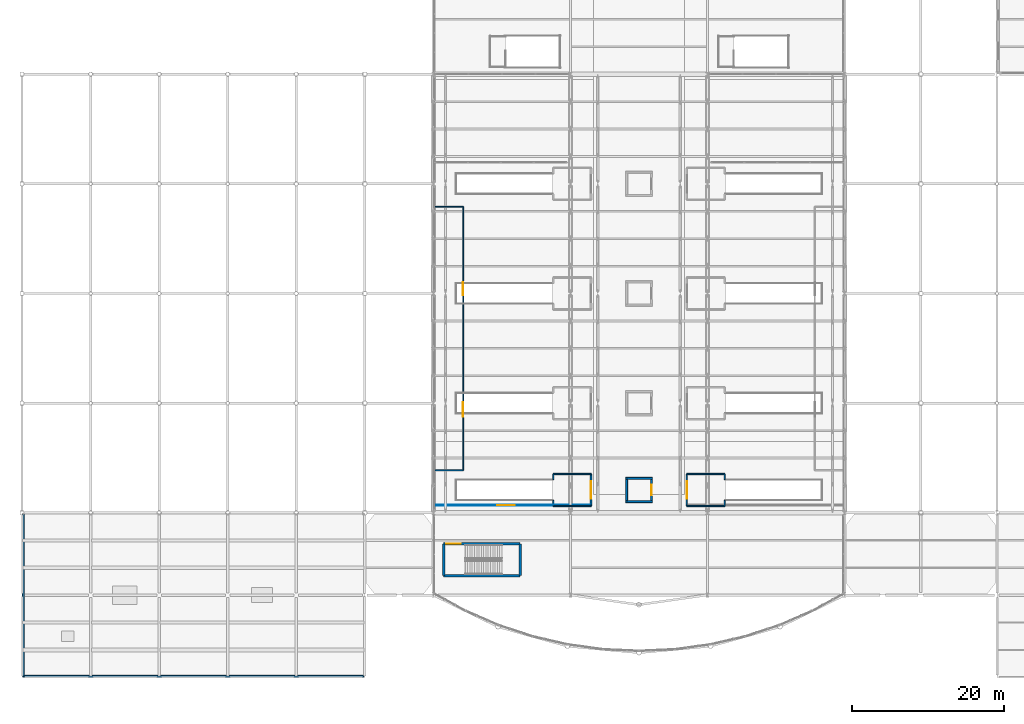
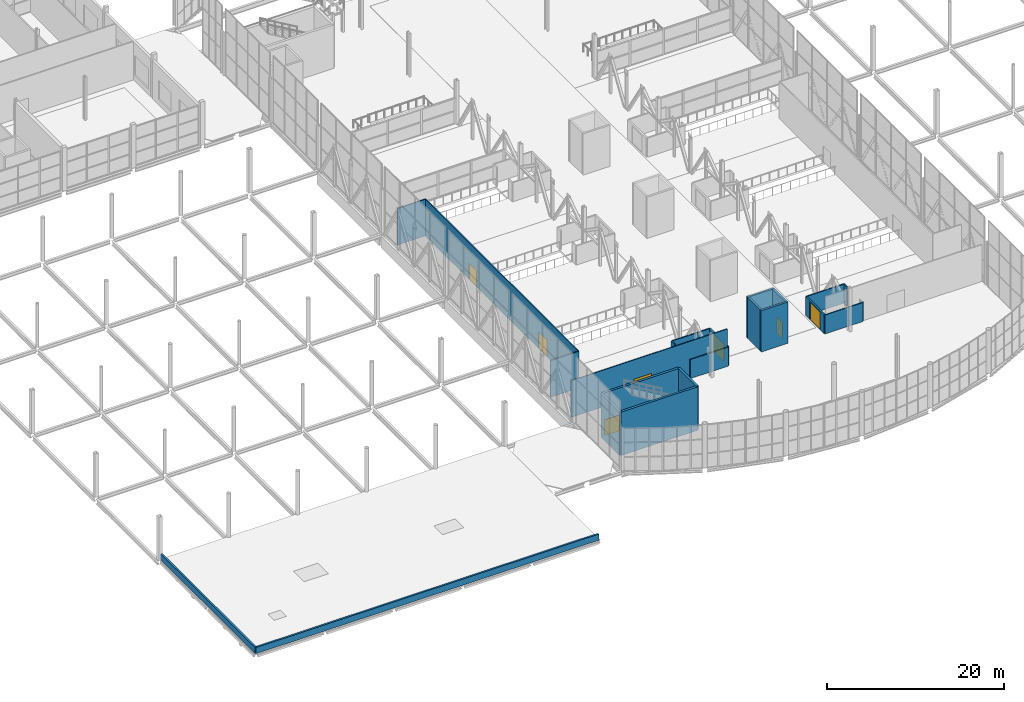
# One storey, part 167 of 191: 24 walls, 7 doors, 7 openings.
"""IFC4 building model written with IfcOpenShell, lengths in metres."""

from ifc_helpers import new_model, si_unit, direction, frame, frame_2d, origin, place, context, subcontext, project, spatial, rectangle, extrude, material, layer, layer_set, type_object, element, fill, save


model = new_model("IFC4")

# Units and contexts
model_context = context("Model", 3, precision=1e-05, world=origin(), true_north=direction((0.0, 1.0)))
body_context = subcontext(model_context, "Body", "Model", "MODEL_VIEW")
ifc_project = project(units=[si_unit("LENGTHUNIT", "METRE"), si_unit("AREAUNIT", "SQUARE_METRE"), si_unit("VOLUMEUNIT", "CUBIC_METRE"), si_unit("PLANEANGLEUNIT", "RADIAN"), si_unit("MASSUNIT", "GRAM", prefix="KILO")], contexts=[model_context])

# Site, building, storey
site_placement = place(None, origin())
site = spatial("IfcSite", under=ifc_project, at=site_placement, CompositionType="ELEMENT")
building_placement = place(site_placement, origin())
building = spatial("IfcBuilding", under=site, at=building_placement, Name="Tamarisk Ironworks Central Station", CompositionType="ELEMENT")
storey_placement = place(building_placement, frame((0.0, 0.0, 6.60009765625)))
storey = spatial("IfcBuildingStorey", under=building, at=storey_placement, Name="L01", CompositionType="ELEMENT", Elevation=6.60009765625)

# Wall
ifc_material_1 = material(Name="Concrete C50/60", Category="concrete")
ifc_layer_1 = layer(ifc_material_1, 0.300048828125)
ifc_layer_set_1 = layer_set([ifc_layer_1], Name="Concrete C50/60")
wall_type_1 = type_object("IfcWallType", Name="WL-CW300", PredefinedType="SOLIDWALL", material=ifc_layer_set_1)
wall_1_placement = place(storey_placement, frame((55.35498046875, 13.35498046875, 0.0), z_axis=(0.0, 0.0, 1.0), x_axis=(1.0, 0.0, 0.0)))
element("IfcWall", 1, at=wall_1_placement, inside=storey, type_object=wall_type_1, Name="ST-C8 core wall L (L01)", PredefinedType="SOLIDWALL", context=body_context, shape_type="SweptSolid", body=[
    extrude(rectangle(XDim=10.0400390625, YDim=0.300048828125, at=frame_2d((5.02001953125, 0.0))), origin(), (0.0, 0.0, 1.0), 6.0),
])

# Wall, opening, door
wall_2_placement = place(storey_placement, frame((55.35498046875, 17.544921875, 0.0), z_axis=(0.0, 0.0, 1.0), x_axis=(1.0, 0.0, 0.0)))
wall_2 = element("IfcWall", 2, at=wall_2_placement, inside=storey, type_object=wall_type_1, Name="ST-C8 core wall R (L01)", PredefinedType="SOLIDWALL", context=body_context, shape_type="SweptSolid", body=[
    extrude(rectangle(XDim=10.0400390625, YDim=0.300048828125, at=frame_2d((5.02001953125, 0.0))), origin(), (0.0, 0.0, 1.0), 6.0),
])
opening_1_placement = place(wall_2_placement, frame((0.35009765625, 0.0, 0.0048828125)))
opening_1 = element("IfcOpeningElement", 3, at=opening_1_placement, cuts=wall_2, Name="Opening FD02", PredefinedType="OPENING", context=body_context, shape_type="SweptSolid", body=[
    extrude(rectangle(XDim=1.89990234375, YDim=2.199951171875, at=frame_2d((0.949951171875, 1.10009765625))), frame((0.0, 0.162109375, 0.0), z_axis=(0.0, -1.0, 0.0), x_axis=(1.0, 0.0, 0.0)), (0.0, 0.0, 1.0), 0.323974609375),
])
ifc_material_2 = material(Name="Galvanised hollow-metal door steel", Category="steel")
door_type_1 = type_object("IfcDoorType", Name="DR-FD02", OperationType="NOTDEFINED", PredefinedType="DOOR", material=ifc_material_2)
door_1_placement = place(opening_1_placement, origin())
door_1 = element("IfcDoor", 4, at=door_1_placement, inside=storey, type_object=door_type_1, Name="ST-C8 fire stair door (L01)", OperationType="SINGLE_SWING_RIGHT", OverallHeight=2.199951171875, OverallWidth=1.89990234375, PredefinedType="DOOR", context=body_context, shape_type="SweptSolid", body=[
    extrude(rectangle(XDim=1.89990234375, YDim=2.199951171875, at=frame_2d((0.949951171875, 1.10009765625))), frame((0.0, 0.02490234375, 0.0), z_axis=(0.0, -1.0, 0.0), x_axis=(1.0, 0.0, 0.0)), (0.0, 0.0, 1.0), 0.050048828125),
])
fill(opening_1, door_1)

# Walls
for number, where, z_axis, x_axis, name in (
    (5, (55.35498046875, 13.35498046875, 0.0), (0.0, 0.0, 1.0), (0.0, 1.0, 0.0), "ST-C8 core wall N (L01)"),
    (6, (65.39501953125, 13.35498046875, 0.0), (0.0, 0.0, 1.0), (0.0, 1.0, 0.0), "ST-C8 core wall F (L01)"),
):
    element("IfcWall", number, at=place(storey_placement, frame(where, z_axis=z_axis, x_axis=x_axis)), inside=storey, type_object=wall_type_1, Name=name, PredefinedType="SOLIDWALL", context=body_context, shape_type="SweptSolid", body=[
        extrude(rectangle(XDim=4.18994140625, YDim=0.300048828125, at=frame_2d((2.094970703125, 0.0))), origin(), (0.0, 0.0, 1.0), 6.0),
    ])
ifc_material_3 = material(Name="Gypsum plasterboard acoustic partition")
ifc_layer_2 = layer(ifc_material_3, 0.155029296875)
ifc_layer_set_2 = layer_set([ifc_layer_2], Name="Gypsum plasterboard acoustic partition")
wall_type_2 = type_object("IfcWallType", Name="WL-FC150", PredefinedType="PARTITIONING", material=ifc_layer_set_2)
for number, where, z_axis, x_axis, name in (
    (7, (69.75, 22.5, 0.0), (0.0, 0.0, 1.0), (0.0, 1.0, 0.0), "ST-P1A smoke lobby flank S"),
    (8, (69.75, 25.949951171875, 0.0), (0.0, 0.0, 1.0), (0.0, 1.0, 0.0), "ST-P1A smoke lobby flank N"),
):
    element("IfcWall", number, at=place(storey_placement, frame(where, z_axis=z_axis, x_axis=x_axis)), inside=storey, type_object=wall_type_2, Name=name, PredefinedType="PARTITIONING", context=body_context, shape_type="SweptSolid", body=[
        extrude(rectangle(XDim=0.75, YDim=0.155029296875, at=frame_2d((0.375, 0.0))), origin(), (0.0, 0.0, 1.0), 2.619873046875),
    ])
for number, where, z_axis, x_axis, name in (
    (9, (69.75, 22.5, 0.0), (0.0, 0.0, 1.0), (1.0, 0.0, 0.0), "ST-P1A smoke lobby return wall RETS"),
    (10, (69.75, 26.699951171875, 0.0), (0.0, 0.0, 1.0), (1.0, 0.0, 0.0), "ST-P1A smoke lobby return wall RETN"),
):
    element("IfcWall", number, at=place(storey_placement, frame(where, z_axis=z_axis, x_axis=x_axis)), inside=storey, type_object=wall_type_2, Name=name, PredefinedType="PARTITIONING", context=body_context, shape_type="SweptSolid", body=[
        extrude(rectangle(XDim=4.949951171875, YDim=0.155029296875, at=frame_2d((2.47509765625, 0.0))), origin(), (0.0, 0.0, 1.0), 2.619873046875),
    ])
for number, where, z_axis, x_axis, name in (
    (11, (92.25, 22.5, 0.0), (0.0, 0.0, 1.0), (0.0, 1.0, 0.0), "ST-P1B smoke lobby flank S"),
    (12, (92.25, 25.949951171875, 0.0), (0.0, 0.0, 1.0), (0.0, 1.0, 0.0), "ST-P1B smoke lobby flank N"),
):
    element("IfcWall", number, at=place(storey_placement, frame(where, z_axis=z_axis, x_axis=x_axis)), inside=storey, type_object=wall_type_2, Name=name, PredefinedType="PARTITIONING", context=body_context, shape_type="SweptSolid", body=[
        extrude(rectangle(XDim=0.75, YDim=0.155029296875, at=frame_2d((0.375, 0.0))), origin(), (0.0, 0.0, 1.0), 2.619873046875),
    ])
for number, where, z_axis, x_axis, name in (
    (13, (87.300048828125, 22.5, 0.0), (0.0, 0.0, 1.0), (1.0, 0.0, 0.0), "ST-P1B smoke lobby return wall RETS"),
    (14, (87.300048828125, 26.699951171875, 0.0), (0.0, 0.0, 1.0), (1.0, 0.0, 0.0), "ST-P1B smoke lobby return wall RETN"),
):
    element("IfcWall", number, at=place(storey_placement, frame(where, z_axis=z_axis, x_axis=x_axis)), inside=storey, type_object=wall_type_2, Name=name, PredefinedType="PARTITIONING", context=body_context, shape_type="SweptSolid", body=[
        extrude(rectangle(XDim=4.949951171875, YDim=0.155029296875, at=frame_2d((2.47509765625, 0.0))), origin(), (0.0, 0.0, 1.0), 2.619873046875),
    ])

# Wall, opening, door
ifc_material_4 = material(Name="Laminated solar-control low-E glass", Category="glass")
ifc_layer_3 = layer(ifc_material_4, 0.114990234375)
ifc_layer_set_3 = layer_set([ifc_layer_3], Name="Laminated solar-control low-E glass")
wall_type_3 = type_object("IfcWallType", Name="WL-GL120", PredefinedType="PARTITIONING", material=ifc_layer_set_3)
wall_3_placement = place(storey_placement, frame((54.2080078125, 22.60009765625, 0.0), z_axis=(0.0, 0.0, 1.0), x_axis=(1.0, 0.0, 0.0)))
wall_3 = element("IfcWall", 15, at=wall_3_placement, inside=storey, type_object=wall_type_3, Name="L01 interior partition 0041", PredefinedType="PARTITIONING", context=body_context, shape_type="SweptSolid", body=[
    extrude(rectangle(XDim=20.39404296875, YDim=0.114990234375, at=frame_2d((10.197021484375, 0.0))), origin(), (0.0, 0.0, 1.0), 5.059814453125),
])
opening_2_placement = place(wall_3_placement, frame((8.19189453125, 0.0, 0.0048828125)))
opening_2 = element("IfcOpeningElement", 16, at=opening_2_placement, cuts=wall_3, Name="Opening D01", PredefinedType="OPENING", context=body_context, shape_type="SweptSolid", body=[
    extrude(rectangle(XDim=2.300048828125, YDim=2.39990234375, at=frame_2d((1.14990234375, 1.199951171875))), frame((0.0, 0.0693359375, 0.0), z_axis=(0.0, -1.0, 0.0), x_axis=(1.0, 0.0, 0.0)), (0.0, 0.0, 1.0), 0.138916015625),
])
ifc_material_5 = material(Name="Anodized aluminium alloy 6063-T6", Category="aluminium")
door_type_2 = type_object("IfcDoorType", Name="DR-ID01", OperationType="NOTDEFINED", PredefinedType="DOOR", material=ifc_material_5)
door_2_placement = place(opening_2_placement, origin())
door_2 = element("IfcDoor", 17, at=door_2_placement, inside=storey, type_object=door_type_2, Name="L01 room door 0032", OperationType="DOUBLE_DOOR_SINGLE_SWING", OverallHeight=2.39990234375, OverallWidth=2.300048828125, PredefinedType="DOOR", context=body_context, shape_type="SweptSolid", body=[
    extrude(rectangle(XDim=2.300048828125, YDim=2.39990234375, at=frame_2d((1.14990234375, 1.199951171875))), frame((0.0, 0.02490234375, 0.0), z_axis=(0.0, -1.0, 0.0), x_axis=(1.0, 0.0, 0.0)), (0.0, 0.0, 1.0), 0.050048828125),
])
fill(opening_2, door_2)

# Walls
ifc_material_6 = material(Name="Clay facing brickwork and mortar", Category="masonry")
ifc_layer_4 = layer(ifc_material_6, 0.219970703125)
ifc_layer_set_4 = layer_set([ifc_layer_4], Name="Clay facing brickwork and mortar")
wall_type_4 = type_object("IfcWallType", Name="WL-PA220", PredefinedType="PARAPET", material=ifc_layer_set_4)
wall_4_placement = place(storey_placement, frame((0.14990234375, 0.14990234375, 0.0), z_axis=(0.0, 0.0, 1.0), x_axis=(0.0, 1.0, 0.0)))
element("IfcWall", 18, at=wall_4_placement, inside=storey, type_object=wall_type_4, Name="L01 flat roof parapet wall 08", PredefinedType="PARAPET", context=body_context, shape_type="SweptSolid", body=[
    extrude(rectangle(XDim=21.300048828125, YDim=0.219970703125, at=frame_2d((10.64990234375, 0.0))), origin(), (0.0, 0.0, 1.0), 0.849853515625),
])
ifc_layer_5 = layer(ifc_material_6, 0.22509765625)
ifc_layer_set_5 = layer_set([ifc_layer_5], Name="Clay facing brickwork and mortar")
wall_type_5 = type_object("IfcWallType", Name="WL-PA225", PredefinedType="PARAPET", material=ifc_layer_set_5)
wall_5_placement = place(storey_placement, frame((0.14990234375, 0.14990234375, 0.0), z_axis=(0.0, 0.0, 1.0), x_axis=(1.0, 0.0, 0.0)))
element("IfcWall", 19, at=wall_5_placement, inside=storey, type_object=wall_type_5, Name="L01 flat roof parapet wall 07", PredefinedType="PARAPET", context=body_context, shape_type="SweptSolid", body=[
    extrude(rectangle(XDim=44.7001953125, YDim=0.22509765625, at=frame_2d((22.35009765625, 0.0))), origin(), (0.0, 0.0, 1.0), 0.849853515625),
])
ifc_layer_6 = layer(ifc_material_3, 0.139892578125)
ifc_layer_set_6 = layer_set([ifc_layer_6], Name="Gypsum plasterboard acoustic partition")
wall_type_6 = type_object("IfcWallType", Name="WL-PT140", PredefinedType="PARTITIONING", material=ifc_layer_set_6)
for number, where, z_axis, x_axis, name in (
    (20, (54.2080078125, 27.199951171875, 0.0), (0.0, 0.0, 1.0), (1.0, 0.0, 0.0), "L01 interior partition 0043"),
    (21, (54.2080078125, 61.800048828125, 0.0), (0.0, 0.0, 1.0), (1.0, 0.0, 0.0), "L01 interior partition 0044"),
):
    element("IfcWall", number, at=place(storey_placement, frame(where, z_axis=z_axis, x_axis=x_axis)), inside=storey, type_object=wall_type_6, Name=name, PredefinedType="PARTITIONING", context=body_context, shape_type="SweptSolid", body=[
        extrude(rectangle(XDim=3.69189453125, YDim=0.139892578125, at=frame_2d((1.845947265625, 0.0))), origin(), (0.0, 0.0, 1.0), 5.059814453125),
    ])

# Wall, openings, doors
wall_6_placement = place(storey_placement, frame((57.89990234375, 27.199951171875, 0.0), z_axis=(0.0, 0.0, 1.0), x_axis=(0.0, 1.0, 0.0)))
wall_6 = element("IfcWall", 22, at=wall_6_placement, inside=storey, type_object=wall_type_6, Name="L01 interior partition 0045", PredefinedType="PARTITIONING", context=body_context, shape_type="SweptSolid", body=[
    extrude(rectangle(XDim=34.60009765625, YDim=0.139892578125, at=frame_2d((17.300048828125, 0.0))), origin(), (0.0, 0.0, 1.0), 5.059814453125),
])
opening_3_placement = place(wall_6_placement, frame((7.0, 0.0, 0.0048828125)))
opening_3 = element("IfcOpeningElement", 23, at=opening_3_placement, cuts=wall_6, Name="Opening D02", PredefinedType="OPENING", context=body_context, shape_type="SweptSolid", body=[
    extrude(rectangle(XDim=1.949951171875, YDim=2.300048828125, at=frame_2d((0.97509765625, 1.14990234375))), frame((0.0, 0.08203125, 0.0), z_axis=(0.0, -1.0, 0.0), x_axis=(1.0, 0.0, 0.0)), (0.0, 0.0, 1.0), 0.163818359375),
])
opening_4_placement = place(wall_6_placement, frame((23.0, 0.0, 0.0048828125)))
opening_4 = element("IfcOpeningElement", 24, at=opening_4_placement, cuts=wall_6, Name="Opening D03", PredefinedType="OPENING", context=body_context, shape_type="SweptSolid", body=[
    extrude(rectangle(XDim=1.64990234375, YDim=2.199951171875, at=frame_2d((0.824951171875, 1.10009765625))), frame((0.0, 0.08203125, 0.0), z_axis=(0.0, -1.0, 0.0), x_axis=(1.0, 0.0, 0.0)), (0.0, 0.0, 1.0), 0.163818359375),
])
door_type_3 = type_object("IfcDoorType", Name="DR-ID02", OperationType="NOTDEFINED", PredefinedType="DOOR", material=ifc_material_5)
door_3_placement = place(opening_3_placement, origin())
door_3 = element("IfcDoor", 25, at=door_3_placement, inside=storey, type_object=door_type_3, Name="L01 room door 0034", OperationType="DOUBLE_DOOR_SINGLE_SWING", OverallHeight=2.300048828125, OverallWidth=1.949951171875, PredefinedType="DOOR", context=body_context, shape_type="SweptSolid", body=[
    extrude(rectangle(XDim=1.949951171875, YDim=2.300048828125, at=frame_2d((0.97509765625, 1.14990234375))), frame((0.0, 0.02490234375, 0.0), z_axis=(0.0, -1.0, 0.0), x_axis=(1.0, 0.0, 0.0)), (0.0, 0.0, 1.0), 0.050048828125),
])
fill(opening_3, door_3)
ifc_material_7 = material(Name="FSC certified tropical hardwood timber", Category="wood")
door_type_4 = type_object("IfcDoorType", Name="DR-ID03", OperationType="NOTDEFINED", PredefinedType="DOOR", material=ifc_material_7)
door_4_placement = place(opening_4_placement, origin())
door_4 = element("IfcDoor", 26, at=door_4_placement, inside=storey, type_object=door_type_4, Name="L01 room door 0035", OperationType="DOUBLE_DOOR_SINGLE_SWING", OverallHeight=2.199951171875, OverallWidth=1.64990234375, PredefinedType="DOOR", context=body_context, shape_type="SweptSolid", body=[
    extrude(rectangle(XDim=1.64990234375, YDim=2.199951171875, at=frame_2d((0.824951171875, 1.10009765625))), frame((0.0, 0.02490234375, 0.0), z_axis=(0.0, -1.0, 0.0), x_axis=(1.0, 0.0, 0.0)), (0.0, 0.0, 1.0), 0.050048828125),
])
fill(opening_4, door_4)

# Wall, opening, door
ifc_layer_7 = layer(ifc_material_6, 0.199951171875)
ifc_layer_set_7 = layer_set([ifc_layer_7], Name="Clay facing brickwork and mortar")
wall_type_7 = type_object("IfcWallType", Name="WL-PT200", PredefinedType="PARTITIONING", material=ifc_layer_set_7)
wall_7_placement = place(storey_placement, frame((74.699951171875, 22.5, 0.0), z_axis=(0.0, 0.0, 1.0), x_axis=(0.0, 1.0, 0.0)))
wall_7 = element("IfcWall", 27, at=wall_7_placement, inside=storey, type_object=wall_type_7, Name="ST-P1A smoke lobby barrier", PredefinedType="PARTITIONING", context=body_context, shape_type="SweptSolid", body=[
    extrude(rectangle(XDim=4.199951171875, YDim=0.199951171875, at=frame_2d((2.10009765625, 0.0))), origin(), (0.0, 0.0, 1.0), 2.619873046875),
])
opening_5_placement = place(wall_7_placement, frame((0.949951171875, 0.0, 0.0048828125)))
opening_5 = element("IfcOpeningElement", 28, at=opening_5_placement, cuts=wall_7, Name="Opening D01", PredefinedType="OPENING", context=body_context, shape_type="SweptSolid", body=[
    extrude(rectangle(XDim=2.300048828125, YDim=2.39990234375, at=frame_2d((1.14990234375, 1.199951171875))), frame((0.0, 0.11181640625, 0.0), z_axis=(0.0, -1.0, 0.0), x_axis=(1.0, 0.0, 0.0)), (0.0, 0.0, 1.0), 0.223876953125),
])
door_5_placement = place(opening_5_placement, origin())
door_5 = element("IfcDoor", 29, at=door_5_placement, inside=storey, type_object=door_type_2, Name="ST-P1A smoke lobby double boarding door", OperationType="DOUBLE_DOOR_SINGLE_SWING", OverallHeight=2.39990234375, OverallWidth=2.300048828125, PredefinedType="DOOR", context=body_context, shape_type="SweptSolid", body=[
    extrude(rectangle(XDim=2.300048828125, YDim=2.39990234375, at=frame_2d((1.14990234375, 1.199951171875))), frame((0.0, 0.02490234375, 0.0), z_axis=(0.0, -1.0, 0.0), x_axis=(1.0, 0.0, 0.0)), (0.0, 0.0, 1.0), 0.050048828125),
])
fill(opening_5, door_5)

wall_8_placement = place(storey_placement, frame((87.300048828125, 22.5, 0.0), z_axis=(0.0, 0.0, 1.0), x_axis=(0.0, 1.0, 0.0)))
wall_8 = element("IfcWall", 30, at=wall_8_placement, inside=storey, type_object=wall_type_7, Name="ST-P1B smoke lobby barrier", PredefinedType="PARTITIONING", context=body_context, shape_type="SweptSolid", body=[
    extrude(rectangle(XDim=4.199951171875, YDim=0.199951171875, at=frame_2d((2.10009765625, 0.0))), origin(), (0.0, 0.0, 1.0), 2.619873046875),
])
opening_6_placement = place(wall_8_placement, frame((0.949951171875, 0.0, 0.0048828125)))
opening_6 = element("IfcOpeningElement", 31, at=opening_6_placement, cuts=wall_8, Name="Opening D01", PredefinedType="OPENING", context=body_context, shape_type="SweptSolid", body=[
    extrude(rectangle(XDim=2.300048828125, YDim=2.39990234375, at=frame_2d((1.14990234375, 1.199951171875))), frame((0.0, 0.11181640625, 0.0), z_axis=(0.0, -1.0, 0.0), x_axis=(1.0, 0.0, 0.0)), (0.0, 0.0, 1.0), 0.223876953125),
])
door_6_placement = place(opening_6_placement, origin())
door_6 = element("IfcDoor", 32, at=door_6_placement, inside=storey, type_object=door_type_2, Name="ST-P1B smoke lobby double boarding door", OperationType="DOUBLE_DOOR_SINGLE_SWING", OverallHeight=2.39990234375, OverallWidth=2.300048828125, PredefinedType="DOOR", context=body_context, shape_type="SweptSolid", body=[
    extrude(rectangle(XDim=2.300048828125, YDim=2.39990234375, at=frame_2d((1.14990234375, 1.199951171875))), frame((0.0, 0.02490234375, 0.0), z_axis=(0.0, -1.0, 0.0), x_axis=(1.0, 0.0, 0.0)), (0.0, 0.0, 1.0), 0.050048828125),
])
fill(opening_6, door_6)

# Walls
ifc_layer_8 = layer(ifc_material_1, 0.25)
ifc_layer_set_8 = layer_set([ifc_layer_8], Name="Concrete C50/60")
wall_type_8 = type_object("IfcWallType", Name="WL-SH250", PredefinedType="SOLIDWALL", material=ifc_layer_set_8)
for number, where, z_axis, x_axis, name in (
    (33, (79.25, 23.074951171875, 0.0), (0.0, 0.0, 1.0), (1.0, 0.0, 0.0), "LF-P1 lift shaft wall S (L01)"),
    (34, (79.25, 26.125, 0.0), (0.0, 0.0, 1.0), (1.0, 0.0, 0.0), "LF-P1 lift shaft wall N (L01)"),
):
    element("IfcWall", number, at=place(storey_placement, frame(where, z_axis=z_axis, x_axis=x_axis)), inside=storey, type_object=wall_type_8, Name=name, PredefinedType="SOLIDWALL", context=body_context, shape_type="SweptSolid", body=[
        extrude(rectangle(XDim=3.5, YDim=0.25, at=frame_2d((1.75, 0.0))), origin(), (0.0, 0.0, 1.0), 5.699951171875),
    ])
wall_9_placement = place(storey_placement, frame((79.375, 23.199951171875, 0.0), z_axis=(0.0, 0.0, 1.0), x_axis=(0.0, 1.0, 0.0)))
element("IfcWall", 35, at=wall_9_placement, inside=storey, type_object=wall_type_8, Name="LF-P1 lift shaft wall W (L01)", PredefinedType="SOLIDWALL", context=body_context, shape_type="SweptSolid", body=[
    extrude(rectangle(XDim=2.800048828125, YDim=0.25, at=frame_2d((1.39990234375, 0.0))), origin(), (0.0, 0.0, 1.0), 5.699951171875),
])

# Wall, opening, door
wall_10_placement = place(storey_placement, frame((82.625, 23.199951171875, 0.0), z_axis=(0.0, 0.0, 1.0), x_axis=(0.0, 1.0, 0.0)))
wall_10 = element("IfcWall", 36, at=wall_10_placement, inside=storey, type_object=wall_type_8, Name="LF-P1 lift shaft wall E (L01)", PredefinedType="SOLIDWALL", context=body_context, shape_type="SweptSolid", body=[
    extrude(rectangle(XDim=2.800048828125, YDim=0.25, at=frame_2d((1.39990234375, 0.0))), origin(), (0.0, 0.0, 1.0), 5.699951171875),
])
opening_7_placement = place(wall_10_placement, frame((0.699951171875, 0.0, 0.0048828125)))
opening_7 = element("IfcOpeningElement", 37, at=opening_7_placement, cuts=wall_10, Name="Opening LD01", PredefinedType="OPENING", context=body_context, shape_type="SweptSolid", body=[
    extrude(rectangle(XDim=1.39990234375, YDim=2.25, at=frame_2d((0.699951171875, 1.125))), frame((0.0, 0.136962890625, 0.0), z_axis=(0.0, -1.0, 0.0), x_axis=(1.0, 0.0, 0.0)), (0.0, 0.0, 1.0), 0.27392578125),
])
ifc_material_8 = material(Name="Brushed stainless steel AISI 316", Category="steel")
door_type_5 = type_object("IfcDoorType", Name="DR-LD01", OperationType="NOTDEFINED", PredefinedType="DOOR", material=ifc_material_8)
door_7_placement = place(opening_7_placement, origin())
door_7 = element("IfcDoor", 38, at=door_7_placement, inside=storey, type_object=door_type_5, Name="LF-P1 sliding lift landing door (L01)", OperationType="SLIDING_TO_LEFT", OverallHeight=2.25, OverallWidth=1.39990234375, PredefinedType="DOOR", context=body_context, shape_type="SweptSolid", body=[
    extrude(rectangle(XDim=1.39990234375, YDim=2.25, at=frame_2d((0.699951171875, 1.125))), frame((0.0, 0.02490234375, 0.0), z_axis=(0.0, -1.0, 0.0), x_axis=(1.0, 0.0, 0.0)), (0.0, 0.0, 1.0), 0.050048828125),
])
fill(opening_7, door_7)

save(model, "model.ifc")
